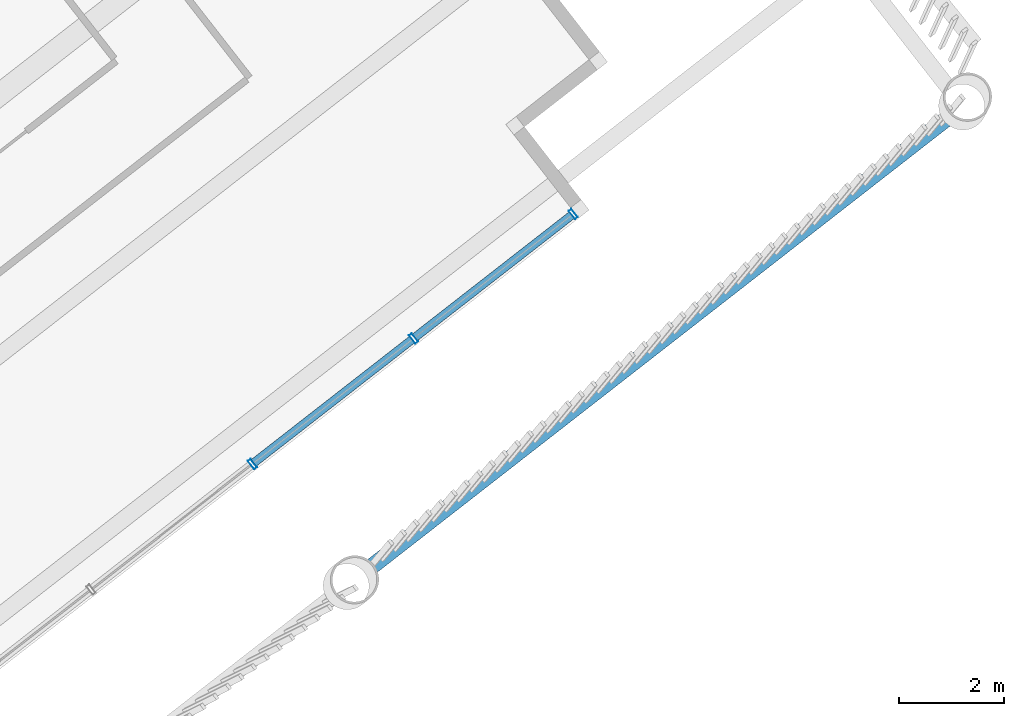
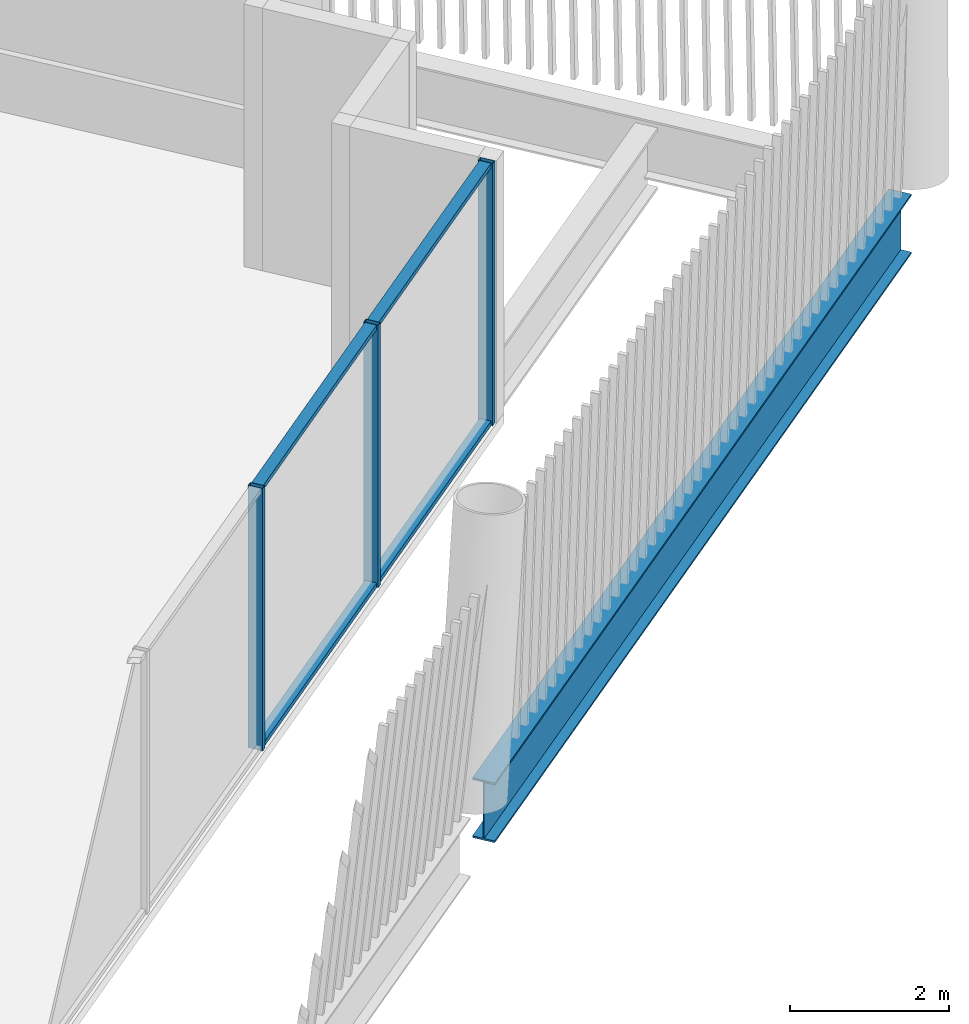
# One storey, part 15 of 28: 7 members, 1 beam, 1 element without a shape of its own.
"""IFC4 building model written with IfcOpenShell, lengths in metres."""

from ifc_helpers import new_model, si_unit, direction, frame, origin, origin_2d, place, context, subcontext, project, spatial, hollow_rectangle, i_section, extrude, material, layer, layer_set, material_profile, profile_set, type_object, element, aggregate, save


model = new_model("IFC4")

# Units and contexts
model_context = context("Model", 3, precision=1e-05, world=origin(), true_north=direction((0.0, 1.0)))
body_context = subcontext(model_context, "Body", "Model", "MODEL_VIEW")
ifc_project = project(units=[si_unit("LENGTHUNIT", "METRE"), si_unit("AREAUNIT", "SQUARE_METRE"), si_unit("VOLUMEUNIT", "CUBIC_METRE"), si_unit("PLANEANGLEUNIT", "RADIAN"), si_unit("MASSUNIT", "GRAM", prefix="KILO")], contexts=[model_context])

# Site, building, storey
site_placement = place(None, origin())
site = spatial("IfcSite", under=ifc_project, at=site_placement, CompositionType="ELEMENT")
building_placement = place(site_placement, origin())
building = spatial("IfcBuilding", under=site, at=building_placement, Name="Tarsis Ring Headquarters", CompositionType="ELEMENT")
storey_placement = place(building_placement, frame((0.0, 0.0, 381.800048828125)))
storey = spatial("IfcBuildingStorey", under=building, at=storey_placement, Name="L90", CompositionType="ELEMENT", Elevation=381.800048828125)

# Curtain wall, members
ifc_material_1 = material(Name="Aluminium curtain wall", Category="aluminium")
ifc_layer = layer(ifc_material_1, 0.199951171875)
ifc_layer_set = layer_set([ifc_layer], Name="Curtain wall executive tip")
curtain_wall_type = type_object("IfcCurtainWallType", Name="Curtain wall executive tip", PredefinedType="NOTDEFINED", material=ifc_layer_set)
curtain_wall_placement = place(storey_placement, origin())
curtain_wall = element("IfcCurtainWall", 1, at=curtain_wall_placement, inside=storey, type_object=curtain_wall_type, Name="Curtain wall L90-11", PredefinedType="NOTDEFINED")
ifc_material_2 = material(Name="Aluminium mullion", Category="aluminium")
ifc_material_profile_1 = material_profile(ifc_material_2, hollow_rectangle(XDim=0.199951171875, YDim=0.070068359375, WallThickness=0.0048828125, at=origin_2d()), Name="RHS 200x70x5")
ifc_profile_set_1 = profile_set([ifc_material_profile_1], Name="Aluminium mullion")
member_type_1 = type_object("IfcMemberType", Name="Curtain wall mullion executive tip RHS 200x70x5", PredefinedType="MULLION", material=ifc_profile_set_1)
member_1_placement = place(storey_placement, frame((19.589111328125, -25.145263671875, 0.0), z_axis=(0.0, 0.0, 1.0), x_axis=(-0.61456055753, 0.788869647742, 0.0)))
member_1 = element("IfcMember", 2, at=member_1_placement, type_object=member_type_1, Name="CW-E mullion 3", PredefinedType="MULLION", context=body_context, shape_type="SweptSolid", body=[
    extrude(hollow_rectangle(XDim=0.199951171875, YDim=0.070068359375, WallThickness=0.0048828125, at=origin_2d()), origin(), (0.0, 0.0, 1.0), 4.0400390625),
])
member_2_placement = place(storey_placement, frame((22.64599609375, -22.763916015625, 0.0), z_axis=(0.0, 0.0, 1.0), x_axis=(-0.61456055753, 0.788869647742, 0.0)))
member_2 = element("IfcMember", 3, at=member_2_placement, type_object=member_type_1, Name="CW-E mullion 4", PredefinedType="MULLION", context=body_context, shape_type="SweptSolid", body=[
    extrude(hollow_rectangle(XDim=0.199951171875, YDim=0.070068359375, WallThickness=0.0048828125, at=origin_2d()), origin(), (0.0, 0.0, 1.0), 4.0400390625),
])
member_3_placement = place(storey_placement, frame((25.67529296875, -20.40380859375, 0.0), z_axis=(0.0, 0.0, 1.0), x_axis=(-0.61456055753, 0.788869647742, 0.0)))
member_3 = element("IfcMember", 4, at=member_3_placement, type_object=member_type_1, Name="CW-E mullion 5", PredefinedType="MULLION", context=body_context, shape_type="SweptSolid", body=[
    extrude(hollow_rectangle(XDim=0.199951171875, YDim=0.070068359375, WallThickness=0.0048828125, at=origin_2d()), origin(), (0.0, 0.0, 1.0), 4.0400390625),
])
ifc_material_3 = material(Name="Aluminium transom", Category="aluminium")
ifc_material_profile_2 = material_profile(ifc_material_3, hollow_rectangle(XDim=0.159912109375, YDim=0.070068359375, WallThickness=0.0048828125, at=origin_2d()), Name="RHS 160x70x5")
ifc_profile_set_2 = profile_set([ifc_material_profile_2], Name="Aluminium transom")
member_type_2 = type_object("IfcMemberType", Name="Curtain wall transom executive tip RHS 160x70x5", PredefinedType="USERDEFINED", material=ifc_profile_set_2)
member_4_placement = place(storey_placement, frame((19.61669921875, -25.123779296875, 0.034912109375), z_axis=(0.78887866053, 0.614548988252, 0.0), x_axis=(-0.614548988252, 0.78887866053, 0.0)))
member_4 = element("IfcMember", 5, at=member_4_placement, type_object=member_type_2, Name="CW-E transom 3.1", ObjectType="TRANSOM", PredefinedType="USERDEFINED", context=body_context, shape_type="SweptSolid", body=[
    extrude(hollow_rectangle(XDim=0.159912109375, YDim=0.070068359375, WallThickness=0.0048828125, at=origin_2d()), origin(), (0.0, 0.0, 1.0), 3.804931640625),
])
member_5_placement = place(storey_placement, frame((19.61669921875, -25.123779296875, 4.0048828125), z_axis=(0.78887866053, 0.614548988252, 0.0), x_axis=(-0.614548988252, 0.78887866053, 0.0)))
member_5 = element("IfcMember", 6, at=member_5_placement, type_object=member_type_2, Name="CW-E transom 3.2", ObjectType="TRANSOM", PredefinedType="USERDEFINED", context=body_context, shape_type="SweptSolid", body=[
    extrude(hollow_rectangle(XDim=0.159912109375, YDim=0.070068359375, WallThickness=0.0048828125, at=origin_2d()), origin(), (0.0, 0.0, 1.0), 3.804931640625),
])
member_6_placement = place(storey_placement, frame((22.673583984375, -22.7421875, 0.034912109375), z_axis=(0.788877756603, 0.614550148594, 0.0), x_axis=(-0.614550148594, 0.788877756603, 0.0)))
member_6 = element("IfcMember", 7, at=member_6_placement, type_object=member_type_2, Name="CW-E transom 4.1", ObjectType="TRANSOM", PredefinedType="USERDEFINED", context=body_context, shape_type="SweptSolid", body=[
    extrude(hollow_rectangle(XDim=0.159912109375, YDim=0.070068359375, WallThickness=0.0048828125, at=origin_2d()), origin(), (0.0, 0.0, 1.0), 3.77001953125),
])
member_7_placement = place(storey_placement, frame((22.673583984375, -22.7421875, 4.0048828125), z_axis=(0.788877756603, 0.614550148594, 0.0), x_axis=(-0.614550148594, 0.788877756603, 0.0)))
member_7 = element("IfcMember", 8, at=member_7_placement, type_object=member_type_2, Name="CW-E transom 4.2", ObjectType="TRANSOM", PredefinedType="USERDEFINED", context=body_context, shape_type="SweptSolid", body=[
    extrude(hollow_rectangle(XDim=0.159912109375, YDim=0.070068359375, WallThickness=0.0048828125, at=origin_2d()), origin(), (0.0, 0.0, 1.0), 3.77001953125),
])
aggregate(curtain_wall, [member_1, member_2, member_3, member_4, member_5, member_6, member_7])

# Beam
ifc_material_4 = material(Name="Structural steel S355", Category="steel")
ifc_material_profile_3 = material_profile(ifc_material_4, i_section(OverallWidth=0.3046875, OverallDepth=0.91943359375, WebThickness=0.017333984375, FlangeThickness=0.02783203125, at=origin_2d()), Name="W36x170")
ifc_profile_set_3 = profile_set([ifc_material_profile_3], Name="Structural steel S355")
beam_type = type_object("IfcBeamType", Name="XG Ring girder W36x170", PredefinedType="BEAM", material=ifc_profile_set_3)
beam_placement = place(storey_placement, frame((21.71142578125, -27.19970703125, -0.459716796875), z_axis=(0.788869466137, 0.614560790644, 0.0), x_axis=(-0.614560790644, 0.788869466137, 0.0)))
element("IfcBeam", 9, at=beam_placement, inside=storey, type_object=beam_type, Name="Ring girder XG4", PredefinedType="BEAM", context=body_context, shape_type="SweptSolid", body=[
    extrude(i_section(OverallWidth=0.3046875, OverallDepth=0.91943359375, WebThickness=0.017333984375, FlangeThickness=0.02783203125, at=origin_2d()), origin(), (0.0, 0.0, 1.0), 13.976806640625),
])

save(model, "model.ifc")
